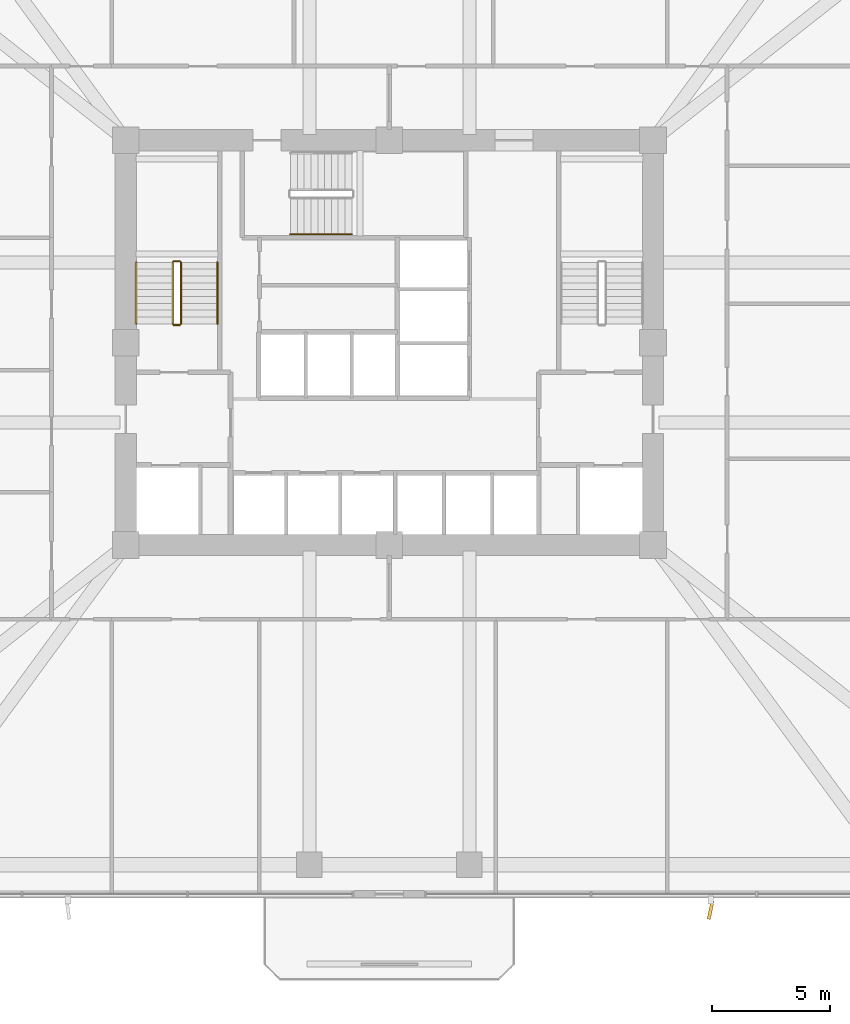
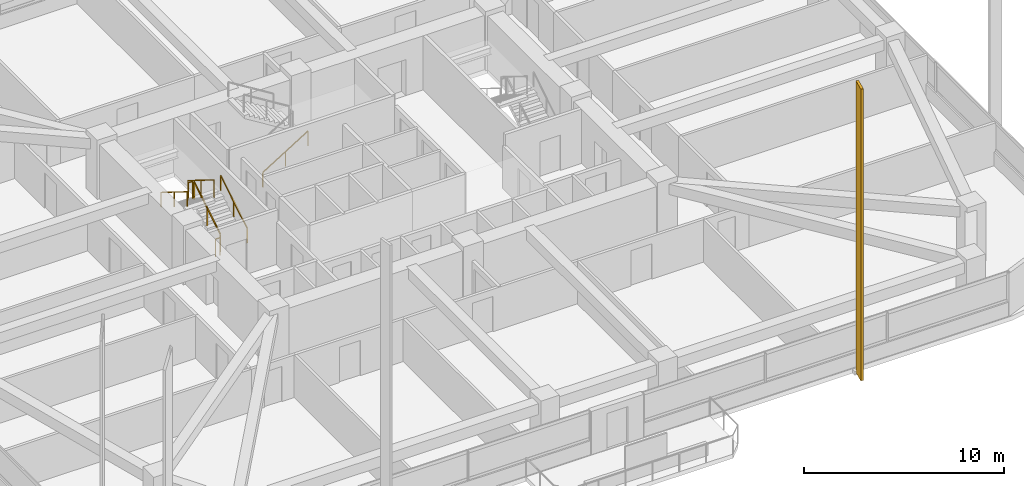
# One storey, part 14 of 17: 7 railings, 1 shading device.
"""IFC4 building model written with IfcOpenShell, lengths in metres."""

from ifc_helpers import new_model, si_unit, derived_unit, direction, frame, origin, origin_2d, place, context, subcontext, project, spatial, rectangle, extrude, material, type_object, element, save


model = new_model("IFC4")

# Units and contexts
model_context = context("Model", 3, precision=1e-05, world=origin(), true_north=direction((0.0, 1.0)))
body_context = subcontext(model_context, "Body", "Model", "MODEL_VIEW")
ifc_project = project(units=[si_unit("LENGTHUNIT", "METRE"), si_unit("AREAUNIT", "SQUARE_METRE"), si_unit("VOLUMEUNIT", "CUBIC_METRE"), si_unit("PLANEANGLEUNIT", "RADIAN"), si_unit("MASSUNIT", "GRAM", prefix="KILO"), derived_unit("THERMALTRANSMITTANCEUNIT", [(si_unit("POWERUNIT", "WATT"), 1), (si_unit("LENGTHUNIT", "METRE"), -2), (si_unit("THERMODYNAMICTEMPERATUREUNIT", "KELVIN"), -1)])], contexts=[model_context])

# Site, building, storey
site_placement = place(None, origin())
site = spatial("IfcSite", under=ifc_project, at=site_placement, CompositionType="ELEMENT")
building_placement = place(site_placement, origin())
building = spatial("IfcBuilding", under=site, at=building_placement, Name="Koralith Skygarden Medical Center", CompositionType="ELEMENT")
storey_placement = place(building_placement, frame((0.0, 0.0, 67.139892578125)))
storey = spatial("IfcBuildingStorey", under=building, at=storey_placement, Name="L17", CompositionType="ELEMENT", Elevation=67.139892578125)

# Shading device
ifc_material_1 = material(Name="Aluminium 6063-T6", Category="aluminium")
shading_device_type = type_object("IfcShadingDeviceType", Name="Limestone-Clad Solar Storm Fin 780", PredefinedType="USERDEFINED", material=ifc_material_1)
shading_device_placement = place(storey_placement, frame((50.64990234375, 1.7900390625, -0.199951171875), z_axis=(0.0, 0.0, 1.0), x_axis=(-0.202240362568, -0.979335915684, 0.0)))
element("IfcShadingDevice", 1, at=shading_device_placement, inside=storey, type_object=shading_device_type, Name="L17 S Harmonic Solar Storm Fin 2", ObjectType="SOLAR FIN", PredefinedType="USERDEFINED", context=body_context, shape_type="SweptSolid", body=[
    extrude(rectangle(XDim=0.780029296875, YDim=0.139892578125, at=origin_2d()), origin(), (0.0, 0.0, 1.0), 17.7900390625),
])

# Railings
ifc_material_2 = material(Name="Steel ASTM A500 Grade C", Category="steel")
railing_type_1 = type_object("IfcRailingType", Name="Stair Flight Tubular Handrail 920", PredefinedType="HANDRAIL", material=ifc_material_2)
railing_1_placement = place(storey_placement, frame((29.699951171875, 26.699951171875, 0.18017578125)))
element("IfcRailing", 2, at=railing_1_placement, inside=storey, type_object=railing_type_1, Name="L17 ST1 stair handrail 1", PredefinedType="HANDRAIL", context=body_context, shape_type="SweptSolid", body=[
    extrude(rectangle(XDim=0.050048828125, YDim=0.050048828125, at=origin_2d()), frame((0.0, 0.001708984375, 0.89599609375), z_axis=(0.0, 0.849668407637, 0.527317358963), x_axis=(-1.0, 0.0, 0.0)), (0.0, 0.0, 1.0), 3.06787109375),
    extrude(rectangle(XDim=0.0419921875, YDim=0.0419921875, at=origin_2d()), origin(), (0.0, 0.0, 1.0), 0.867919921875),
    extrude(rectangle(XDim=0.0419921875, YDim=0.0419921875, at=origin_2d()), frame((0.0, 1.30517578125, 0.81005859375)), (0.0, 0.0, 1.0), 0.867919921875),
    extrude(rectangle(XDim=0.0419921875, YDim=0.0419921875, at=origin_2d()), frame((0.0, 2.610107421875, 1.619873046875)), (0.0, 0.0, 1.0), 0.867919921875),
])
railing_2_placement = place(storey_placement, frame((26.25, 29.31005859375, 1.980224609375)))
element("IfcRailing", 3, at=railing_2_placement, inside=storey, type_object=railing_type_1, Name="L17 ST1 stair handrail 2", PredefinedType="HANDRAIL", context=body_context, shape_type="SweptSolid", body=[
    extrude(rectangle(XDim=0.050048828125, YDim=0.050048828125, at=origin_2d()), frame((0.0, -0.001708984375, 0.89599609375), z_axis=(0.0, -0.849668407637, 0.527317358963), x_axis=(1.0, 0.0, 0.0)), (0.0, 0.0, 1.0), 3.06787109375),
    extrude(rectangle(XDim=0.0419921875, YDim=0.0419921875, at=origin_2d()), origin(), (0.0, 0.0, 1.0), 0.867919921875),
    extrude(rectangle(XDim=0.0419921875, YDim=0.0419921875, at=origin_2d()), frame((0.0, -1.30517578125, 0.81005859375)), (0.0, 0.0, 1.0), 0.867919921875),
    extrude(rectangle(XDim=0.0419921875, YDim=0.0419921875, at=origin_2d()), frame((0.0, -2.610107421875, 1.619873046875)), (0.0, 0.0, 1.0), 0.867919921875),
])
railing_3_placement = place(storey_placement, frame((32.800048828125, 30.5, 0.18017578125)))
element("IfcRailing", 4, at=railing_3_placement, inside=storey, type_object=railing_type_1, Name="L17 ST3 stair handrail 1", PredefinedType="HANDRAIL", context=body_context, shape_type="SweptSolid", body=[
    extrude(rectangle(XDim=0.050048828125, YDim=0.050048828125, at=origin_2d()), frame((0.001708984375, 0.0, 0.89599609375), z_axis=(0.849646306263, 0.0, 0.527352969322), x_axis=(0.0, 1.0, 0.0)), (0.0, 0.0, 1.0), 3.067626953125),
    extrude(rectangle(XDim=0.0419921875, YDim=0.0419921875, at=origin_2d()), origin(), (0.0, 0.0, 1.0), 0.867919921875),
    extrude(rectangle(XDim=0.0419921875, YDim=0.0419921875, at=origin_2d()), frame((1.304931640625, 0.0, 0.81005859375)), (0.0, 0.0, 1.0), 0.867919921875),
    extrude(rectangle(XDim=0.0419921875, YDim=0.0419921875, at=origin_2d()), frame((2.60986328125, 0.0, 1.619873046875)), (0.0, 0.0, 1.0), 0.867919921875),
])
railing_type_2 = type_object("IfcRailingType", Name="Stair Well Safety Guardrail 1100", PredefinedType="GUARDRAIL", material=ifc_material_2)
railing_4_placement = place(storey_placement, frame((28.14990234375, 26.699951171875, 0.18017578125)))
element("IfcRailing", 5, at=railing_4_placement, inside=storey, type_object=railing_type_2, Name="L17 ST1 stair guard 1", PredefinedType="GUARDRAIL", context=body_context, shape_type="SweptSolid", body=[
    extrude(rectangle(XDim=0.050048828125, YDim=0.050048828125, at=origin_2d()), frame((0.0, 0.001708984375, 1.076171875), z_axis=(0.0, 0.849668407637, 0.527317358963), x_axis=(-1.0, 0.0, 0.0)), (0.0, 0.0, 1.0), 3.06787109375),
    extrude(rectangle(XDim=0.0419921875, YDim=0.0419921875, at=origin_2d()), origin(), (0.0, 0.0, 1.0), 1.048095703125),
    extrude(rectangle(XDim=0.0419921875, YDim=0.0419921875, at=origin_2d()), frame((0.0, 1.30517578125, 0.81005859375)), (0.0, 0.0, 1.0), 1.048095703125),
    extrude(rectangle(XDim=0.0419921875, YDim=0.0419921875, at=origin_2d()), frame((0.0, 2.610107421875, 1.619873046875)), (0.0, 0.0, 1.0), 1.048095703125),
])
railing_5_placement = place(storey_placement, frame((28.10009765625, 29.360107421875, 1.800048828125)))
element("IfcRailing", 6, at=railing_5_placement, inside=storey, type_object=railing_type_2, Name="L17 ST1 stair guard 2", PredefinedType="GUARDRAIL", context=body_context, shape_type="SweptSolid", body=[
    extrude(rectangle(XDim=0.050048828125, YDim=0.050048828125, at=origin_2d()), frame((-0.001953125, 0.0, 1.0751953125), z_axis=(-1.0, 0.0, 0.0), x_axis=(0.0, -1.0, 0.0)), (0.0, 0.0, 1.0), 0.24609375),
    extrude(rectangle(XDim=0.0419921875, YDim=0.0419921875, at=origin_2d()), origin(), (0.0, 0.0, 1.0), 1.048095703125),
    extrude(rectangle(XDim=0.0419921875, YDim=0.0419921875, at=origin_2d()), frame((-0.25, 0.0, 0.0)), (0.0, 0.0, 1.0), 1.048095703125),
])
railing_6_placement = place(storey_placement, frame((27.800048828125, 29.31005859375, 1.980224609375)))
element("IfcRailing", 7, at=railing_6_placement, inside=storey, type_object=railing_type_2, Name="L17 ST1 stair guard 3", PredefinedType="GUARDRAIL", context=body_context, shape_type="SweptSolid", body=[
    extrude(rectangle(XDim=0.050048828125, YDim=0.050048828125, at=origin_2d()), frame((0.0, -0.001708984375, 1.076171875), z_axis=(0.0, -0.849668407637, 0.527317358963), x_axis=(1.0, 0.0, 0.0)), (0.0, 0.0, 1.0), 3.06787109375),
    extrude(rectangle(XDim=0.0419921875, YDim=0.0419921875, at=origin_2d()), origin(), (0.0, 0.0, 1.0), 1.048095703125),
    extrude(rectangle(XDim=0.0419921875, YDim=0.0419921875, at=origin_2d()), frame((0.0, -1.30517578125, 0.81005859375)), (0.0, 0.0, 1.0), 1.048095703125),
    extrude(rectangle(XDim=0.0419921875, YDim=0.0419921875, at=origin_2d()), frame((0.0, -2.610107421875, 1.619873046875)), (0.0, 0.0, 1.0), 1.048095703125),
])
railing_7_placement = place(storey_placement, frame((28.10009765625, 26.64990234375, 0.0)))
element("IfcRailing", 8, at=railing_7_placement, inside=storey, type_object=railing_type_2, Name="L17 ST1 stair guard 4", PredefinedType="GUARDRAIL", context=body_context, shape_type="SweptSolid", body=[
    extrude(rectangle(XDim=0.050048828125, YDim=0.050048828125, at=origin_2d()), frame((-0.001953125, 0.0, 1.0751953125), z_axis=(-1.0, 0.0, 0.0), x_axis=(0.0, -1.0, 0.0)), (0.0, 0.0, 1.0), 0.24609375),
    extrude(rectangle(XDim=0.0419921875, YDim=0.0419921875, at=origin_2d()), origin(), (0.0, 0.0, 1.0), 1.048095703125),
    extrude(rectangle(XDim=0.0419921875, YDim=0.0419921875, at=origin_2d()), frame((-0.25, 0.0, 0.0)), (0.0, 0.0, 1.0), 1.048095703125),
])

save(model, "model.ifc")
